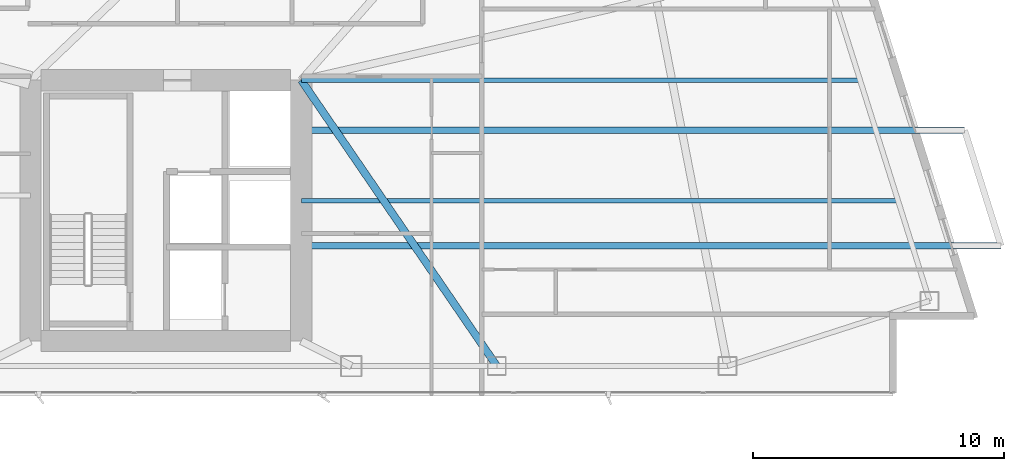
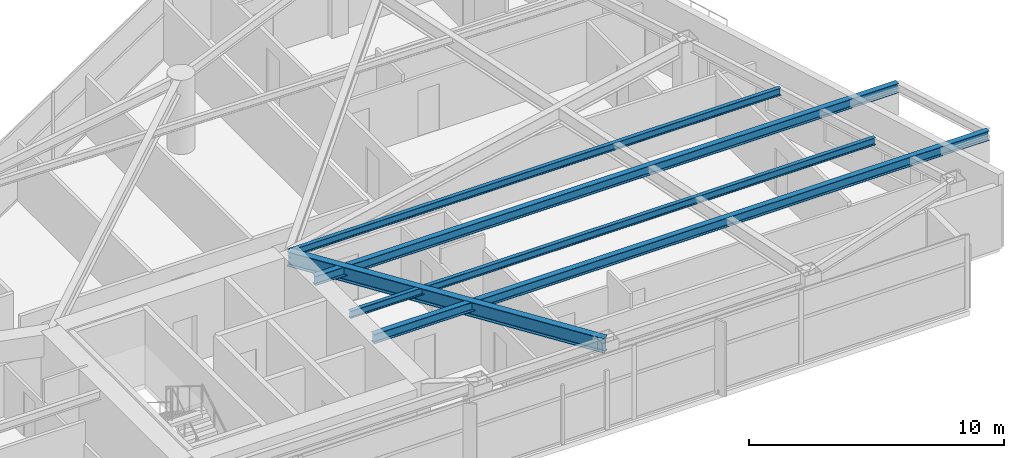
# One storey, part 13 of 28: 5 beams.
"""IFC4 building model written with IfcOpenShell, lengths in metres."""

from ifc_helpers import new_model, si_unit, direction, frame, origin, origin_2d, place, context, subcontext, project, spatial, i_section, extrude, material, material_profile, profile_set, type_object, element, save


model = new_model("IFC4")

# Units and contexts
model_context = context("Model", 3, precision=1e-05, world=origin(), true_north=direction((0.0, 1.0)))
body_context = subcontext(model_context, "Body", "Model", "MODEL_VIEW")
ifc_project = project(units=[si_unit("LENGTHUNIT", "METRE"), si_unit("AREAUNIT", "SQUARE_METRE"), si_unit("VOLUMEUNIT", "CUBIC_METRE"), si_unit("PLANEANGLEUNIT", "RADIAN"), si_unit("MASSUNIT", "GRAM", prefix="KILO")], contexts=[model_context])

# Site, building, storey
site_placement = place(None, origin())
site = spatial("IfcSite", under=ifc_project, at=site_placement, CompositionType="ELEMENT")
building_placement = place(site_placement, origin())
building = spatial("IfcBuilding", under=site, at=building_placement, Name="Calvorn Quay Hotel", CompositionType="ELEMENT")
storey_placement = place(building_placement, frame((0.0, 0.0, 116.39990234375)))
storey = spatial("IfcBuildingStorey", under=building, at=storey_placement, Name="L28", CompositionType="ELEMENT", Elevation=116.39990234375)

# Beams
ifc_material_1 = material(Name="Steel Q355B", Category="steel")
ifc_material_profile_1 = material_profile(ifc_material_1, i_section(OverallWidth=0.25, OverallDepth=0.449951171875, WebThickness=0.011962890625, FlangeThickness=0.01611328125, FilletRadius=0.01611328125, at=origin_2d()), Name="HN450x250x12x16")
ifc_profile_set_1 = profile_set([ifc_material_profile_1], Name="Steel Q355B")
beam_type_1 = type_object("IfcBeamType", Name="BM-CANT-BALC", PredefinedType="BEAM", material=ifc_profile_set_1)
beam_1_placement = place(storey_placement, frame((32.39990234375, 8.39990234375, 3.315185546875), z_axis=(1.0, 0.0, 0.0), x_axis=(0.0, 1.0, 0.0)))
element("IfcBeam", 1, at=beam_1_placement, inside=storey, type_object=beam_type_1, Name="Cantilever Balcony Beam BCB-L29-1A", PredefinedType="BEAM", context=body_context, shape_type="SweptSolid", body=[
    extrude(i_section(OverallWidth=0.25, OverallDepth=0.449951171875, WebThickness=0.011962890625, FlangeThickness=0.01611328125, FilletRadius=0.01611328125, at=origin_2d()), origin(), (0.0, 0.0, 1.0), 27.908203125),
])
beam_2_placement = place(storey_placement, frame((32.39990234375, 13.0, 3.315185546875), z_axis=(1.0, 0.0, 0.0), x_axis=(0.0, 1.0, 0.0)))
element("IfcBeam", 2, at=beam_2_placement, inside=storey, type_object=beam_type_1, Name="Cantilever Balcony Beam BCB-L29-1B", PredefinedType="BEAM", context=body_context, shape_type="SweptSolid", body=[
    extrude(i_section(OverallWidth=0.25, OverallDepth=0.449951171875, WebThickness=0.011962890625, FlangeThickness=0.01611328125, FilletRadius=0.01611328125, at=origin_2d()), origin(), (0.0, 0.0, 1.0), 26.4580078125),
])
ifc_material_2 = material(Name="Steel Q390GJC", Category="steel")
ifc_material_profile_2 = material_profile(ifc_material_2, i_section(OverallWidth=0.300048828125, OverallDepth=0.699951171875, WebThickness=0.012939453125, FlangeThickness=0.02392578125, FilletRadius=0.02392578125, at=origin_2d()), Name="HN700x300x13x24")
ifc_profile_set_2 = profile_set([ifc_material_profile_2], Name="Steel Q390GJC")
beam_type_2 = type_object("IfcBeamType", Name="BM-GIRD-MAIN", PredefinedType="BEAM", material=ifc_profile_set_2)
beam_3_placement = place(storey_placement, frame((40.199951171875, 3.60009765625, 3.190185546875), z_axis=(-0.564689618177, 0.825303359452, 0.0), x_axis=(-0.825303359452, -0.564689618177, 0.0)))
element("IfcBeam", 3, at=beam_3_placement, inside=storey, type_object=beam_type_2, Name="Beam BG-L28-E6", PredefinedType="BEAM", context=body_context, shape_type="SweptSolid", body=[
    extrude(i_section(OverallWidth=0.300048828125, OverallDepth=0.699951171875, WebThickness=0.012939453125, FlangeThickness=0.02392578125, FilletRadius=0.02392578125, at=origin_2d()), origin(), (0.0, 0.0, 1.0), 13.81298828125),
])
ifc_material_3 = material(Name="Steel Q355B", Category="steel")
ifc_material_profile_3 = material_profile(ifc_material_3, i_section(OverallWidth=0.175048828125, OverallDepth=0.35009765625, WebThickness=0.007080078125, FlangeThickness=0.010986328125, FilletRadius=0.013916015625, at=origin_2d()), Name="HN350x175x7x11")
ifc_profile_set_3 = profile_set([ifc_material_profile_3], Name="Steel Q355B")
beam_type_3 = type_object("IfcBeamType", Name="BM-JOIST-SEC", PredefinedType="JOIST", material=ifc_profile_set_3)
beam_4_placement = place(storey_placement, frame((32.39990234375, 10.199951171875, 3.364990234375), z_axis=(1.0, 0.0, 0.0), x_axis=(0.0, 1.0, 0.0)))
element("IfcBeam", 4, at=beam_4_placement, inside=storey, type_object=beam_type_3, Name="Beam BJ-L28-E1", PredefinedType="JOIST", context=body_context, shape_type="SweptSolid", body=[
    extrude(i_section(OverallWidth=0.175048828125, OverallDepth=0.35009765625, WebThickness=0.007080078125, FlangeThickness=0.010986328125, FilletRadius=0.013916015625, at=origin_2d()), origin(), (0.0, 0.0, 1.0), 23.801025390625),
])
beam_5_placement = place(storey_placement, frame((32.39990234375, 15.0, 3.364990234375), z_axis=(1.0, 0.0, 0.0), x_axis=(0.0, 1.0, 0.0)))
element("IfcBeam", 5, at=beam_5_placement, inside=storey, type_object=beam_type_3, Name="Beam BJ-L28-E2", PredefinedType="JOIST", context=body_context, shape_type="SweptSolid", body=[
    extrude(i_section(OverallWidth=0.175048828125, OverallDepth=0.35009765625, WebThickness=0.007080078125, FlangeThickness=0.010986328125, FilletRadius=0.013916015625, at=origin_2d()), origin(), (0.0, 0.0, 1.0), 22.2880859375),
])

save(model, "model.ifc")
